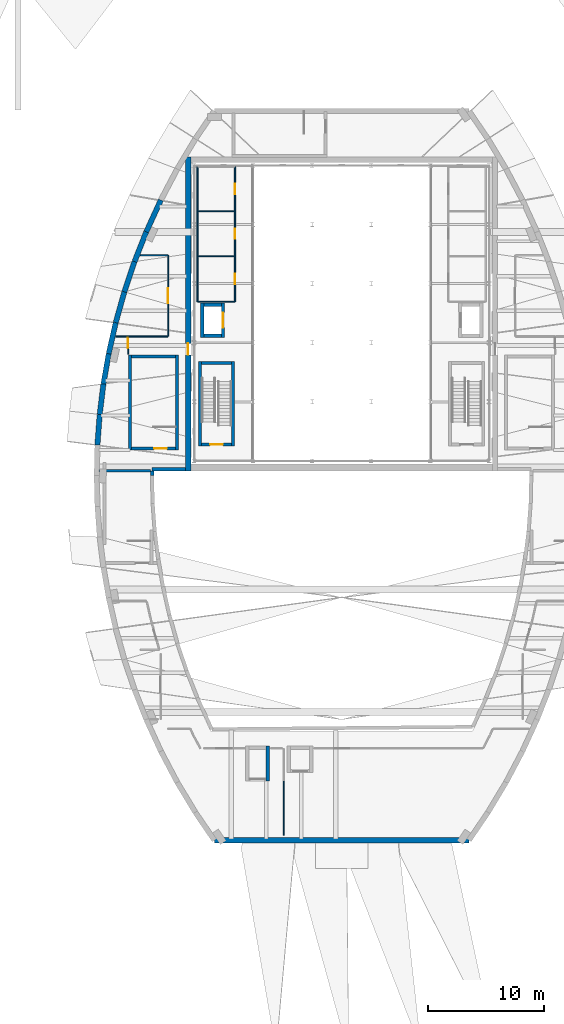
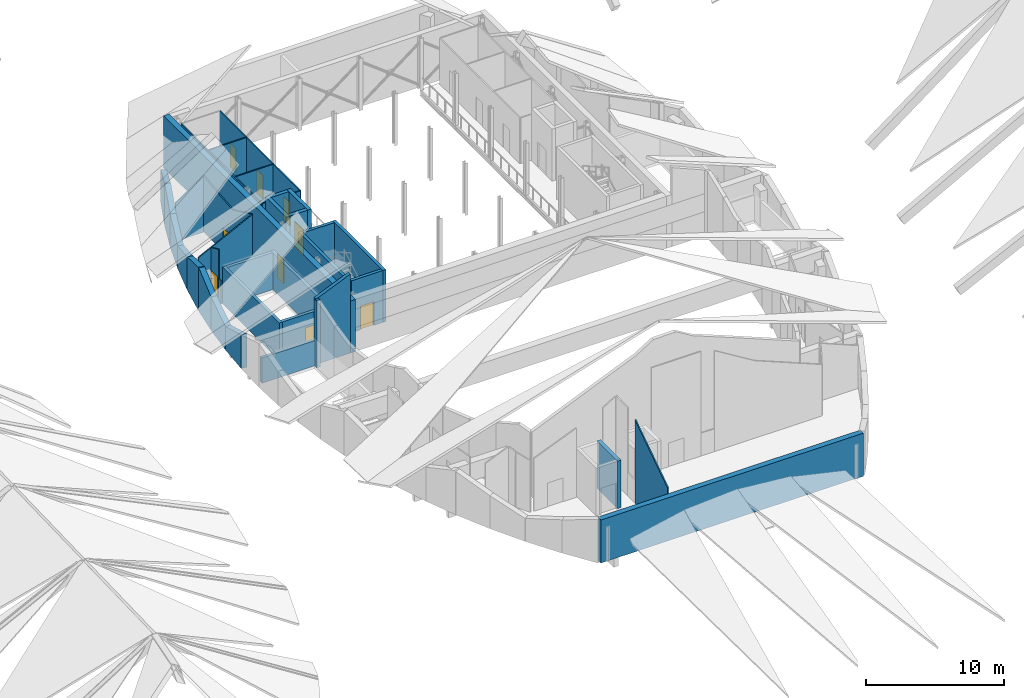
# One storey, part 12 of 17: 38 walls, 9 doors, 9 openings.
"""IFC4 building model written with IfcOpenShell, lengths in metres."""

from ifc_helpers import new_model, si_unit, direction, frame, frame_2d, origin, place, context, subcontext, project, spatial, polyline, rectangle, outline, extrude, material, layer, layer_set, type_object, element, fill, save


model = new_model("IFC4")

# Units and contexts
model_context = context("Model", 3, precision=1e-05, world=origin(), true_north=direction((0.0, 1.0)))
body_context = subcontext(model_context, "Body", "Model", "MODEL_VIEW")
ifc_project = project(units=[si_unit("LENGTHUNIT", "METRE"), si_unit("AREAUNIT", "SQUARE_METRE"), si_unit("VOLUMEUNIT", "CUBIC_METRE"), si_unit("PLANEANGLEUNIT", "RADIAN"), si_unit("MASSUNIT", "GRAM", prefix="KILO")], contexts=[model_context])

# Site, building, storey
site_placement = place(None, origin())
site = spatial("IfcSite", under=ifc_project, at=site_placement, CompositionType="ELEMENT")
building_placement = place(site_placement, origin())
building = spatial("IfcBuilding", under=site, at=building_placement, Name="Tide Square Theatres", CompositionType="ELEMENT")
storey_placement = place(building_placement, frame((0.0, 0.0, 14.800048828125)))
storey = spatial("IfcBuildingStorey", under=building, at=storey_placement, Name="L03", CompositionType="ELEMENT", Elevation=14.800048828125)

# Wall
ifc_material_1 = material(Name="Gypsum board on steel studs", Category="steel")
ifc_layer_1 = layer(ifc_material_1, 0.10009765625)
ifc_layer_set_1 = layer_set([ifc_layer_1], Name="Gypsum board on steel studs")
wall_type_1 = type_object("IfcWallType", Name="Partition 100 thick", PredefinedType="PARTITIONING", material=ifc_layer_set_1)
wall_1_placement = place(storey_placement, frame((71.575927734375, 70.0, 0.0), z_axis=(0.0, 0.0, 1.0), x_axis=(0.0, 1.0, 0.0)))
element("IfcWall", 1, at=wall_1_placement, inside=storey, type_object=wall_type_1, Name="Partition", PredefinedType="PARTITIONING", context=body_context, shape_type="SweptSolid", body=[
    extrude(rectangle(XDim=11.64404296875, YDim=0.10009765625, at=frame_2d((5.822021484375, 0.0))), origin(), (0.0, 0.0, 1.0), 4.0400390625),
])

# Wall, openings, doors
wall_2_placement = place(storey_placement, frame((74.805908203125, 70.0, 0.0), z_axis=(0.0, 0.0, 1.0), x_axis=(0.0, 1.0, 0.0)))
wall_2 = element("IfcWall", 2, at=wall_2_placement, inside=storey, type_object=wall_type_1, Name="Partition", PredefinedType="PARTITIONING", context=body_context, shape_type="SweptSolid", body=[
    extrude(rectangle(XDim=11.64404296875, YDim=0.10009765625, at=frame_2d((5.822021484375, 0.0))), origin(), (0.0, 0.0, 1.0), 4.0400390625),
])
opening_1_placement = place(wall_2_placement, frame((1.5, 0.0, 0.0)))
opening_1 = element("IfcOpeningElement", 3, at=opening_1_placement, cuts=wall_2, Name="Opening T03-03", PredefinedType="OPENING", context=body_context, shape_type="SweptSolid", body=[
    extrude(rectangle(XDim=0.89990234375, YDim=2.10009765625, at=frame_2d((0.449951171875, 1.050048828125))), frame((0.0, 0.06005859375, 0.0), z_axis=(0.0, -1.0, 0.0), x_axis=(1.0, 0.0, 0.0)), (0.0, 0.0, 1.0), 0.1201171875),
])
opening_2_placement = place(wall_2_placement, frame((5.39990234375, 0.0, 0.0)))
opening_2 = element("IfcOpeningElement", 4, at=opening_2_placement, cuts=wall_2, Name="Opening T03-04", PredefinedType="OPENING", context=body_context, shape_type="SweptSolid", body=[
    extrude(rectangle(XDim=0.89990234375, YDim=2.10009765625, at=frame_2d((0.449951171875, 1.050048828125))), frame((0.0, 0.06005859375, 0.0), z_axis=(0.0, -1.0, 0.0), x_axis=(1.0, 0.0, 0.0)), (0.0, 0.0, 1.0), 0.1201171875),
])
opening_3_placement = place(wall_2_placement, frame((9.27197265625, 0.0, 0.0)))
opening_3 = element("IfcOpeningElement", 5, at=opening_3_placement, cuts=wall_2, Name="Opening T03-05", PredefinedType="OPENING", context=body_context, shape_type="SweptSolid", body=[
    extrude(rectangle(XDim=0.89990234375, YDim=2.10009765625, at=frame_2d((0.449951171875, 1.050048828125))), frame((0.0, 0.06005859375, 0.0), z_axis=(0.0, -1.0, 0.0), x_axis=(1.0, 0.0, 0.0)), (0.0, 0.0, 1.0), 0.1201171875),
])
ifc_material_2 = material(Name="Hardwood timber", Category="wood")
door_type_1 = type_object("IfcDoorType", Name="Door 900 x 2100 single leaf", OperationType="NOTDEFINED", PredefinedType="DOOR", material=ifc_material_2)
door_1_placement = place(opening_1_placement, origin())
door_1 = element("IfcDoor", 6, at=door_1_placement, inside=storey, type_object=door_type_1, Name="Rigging Control Room door", OperationType="SINGLE_SWING_RIGHT", OverallHeight=2.10009765625, OverallWidth=0.89990234375, PredefinedType="DOOR", context=body_context, shape_type="SweptSolid", body=[
    extrude(rectangle(XDim=0.89990234375, YDim=2.10009765625, at=frame_2d((0.449951171875, 1.050048828125))), frame((0.0, 0.02490234375, 0.0), z_axis=(0.0, -1.0, 0.0), x_axis=(1.0, 0.0, 0.0)), (0.0, 0.0, 1.0), 0.050048828125),
])
fill(opening_1, door_1)
door_2_placement = place(opening_2_placement, origin())
door_2 = element("IfcDoor", 7, at=door_2_placement, inside=storey, type_object=door_type_1, Name="Flymen's Rest Room door", OperationType="SINGLE_SWING_RIGHT", OverallHeight=2.10009765625, OverallWidth=0.89990234375, PredefinedType="DOOR", context=body_context, shape_type="SweptSolid", body=[
    extrude(rectangle(XDim=0.89990234375, YDim=2.10009765625, at=frame_2d((0.449951171875, 1.050048828125))), frame((0.0, 0.02490234375, 0.0), z_axis=(0.0, -1.0, 0.0), x_axis=(1.0, 0.0, 0.0)), (0.0, 0.0, 1.0), 0.050048828125),
])
fill(opening_2, door_2)
door_3_placement = place(opening_3_placement, origin())
door_3 = element("IfcDoor", 8, at=door_3_placement, inside=storey, type_object=door_type_1, Name="Stage Management Office door", OperationType="SINGLE_SWING_RIGHT", OverallHeight=2.10009765625, OverallWidth=0.89990234375, PredefinedType="DOOR", context=body_context, shape_type="SweptSolid", body=[
    extrude(rectangle(XDim=0.89990234375, YDim=2.10009765625, at=frame_2d((0.449951171875, 1.050048828125))), frame((0.0, 0.02490234375, 0.0), z_axis=(0.0, -1.0, 0.0), x_axis=(1.0, 0.0, 0.0)), (0.0, 0.0, 1.0), 0.050048828125),
])
fill(opening_3, door_3)

# Walls
for number, where, z_axis, x_axis, name in (
    (9, (71.60595703125, 70.0, 0.0), (0.0, 0.0, 1.0), (1.0, 0.0, 0.0), "Partition"),
    (10, (71.60595703125, 73.89990234375, 0.0), (0.0, 0.0, 1.0), (1.0, 0.0, 0.0), "Partition"),
    (11, (71.60595703125, 77.800048828125, 0.0), (0.0, 0.0, 1.0), (1.0, 0.0, 0.0), "Partition"),
):
    element("IfcWall", number, at=place(storey_placement, frame(where, z_axis=z_axis, x_axis=x_axis)), inside=storey, type_object=wall_type_1, Name=name, PredefinedType="PARTITIONING", context=body_context, shape_type="SweptSolid", body=[
        extrude(rectangle(XDim=3.169921875, YDim=0.10009765625, at=frame_2d((1.5849609375, 0.0))), origin(), (0.0, 0.0, 1.0), 4.0400390625),
    ])
wall_3_placement = place(storey_placement, frame((65.570068359375, 67.0, 0.0), z_axis=(0.0, 0.0, 1.0), x_axis=(-1.0, 0.0, 0.0)))
element("IfcWall", 12, at=wall_3_placement, inside=storey, type_object=wall_type_1, Name="Partition", PredefinedType="PARTITIONING", context=body_context, shape_type="SweptSolid", body=[
    extrude(outline(polyline([(0.0, 0.0), (1.035400390625, 0.0), (1.044921875, 3.5419921875), (0.783935546875, 3.6728515625), (0.52294921875, 3.802978515625), (0.260986328125, 3.932861328125), (0.0, 4.06298828125), (0.0, 0.0)])), frame((0.0, 0.050048828125, 0.0), z_axis=(0.0, -1.0, 0.0), x_axis=(1.0, 0.0, 0.0)), (0.0, 0.0, 1.0), 0.10009765625),
])
wall_4_placement = place(storey_placement, frame((69.016845703125, 67.0, 0.0), z_axis=(0.0, 0.0, 1.0), x_axis=(-1.0, 0.0, 0.0)))
element("IfcWall", 13, at=wall_4_placement, inside=storey, type_object=wall_type_1, Name="Partition", PredefinedType="PARTITIONING", context=body_context, shape_type="SweptSolid", body=[
    extrude(outline(polyline([(0.0, 0.0), (3.386962890625, 0.0), (3.39697265625, 4.087890625), (3.135986328125, 4.218017578125), (2.8740234375, 4.347900390625), (2.613037109375, 4.47802734375), (2.35205078125, 4.60888671875), (2.090087890625, 4.739013671875), (1.8291015625, 4.868896484375), (1.568115234375, 4.9990234375), (1.306884765625, 5.12890625), (1.044921875, 5.259033203125), (0.783935546875, 5.388916015625), (0.52294921875, 5.52001953125), (0.260986328125, 5.64990234375), (0.0, 5.780029296875), (0.0, 0.0)])), frame((0.0, 0.050048828125, 0.0), z_axis=(0.0, -1.0, 0.0), x_axis=(1.0, 0.0, 0.0)), (0.0, 0.0, 1.0), 0.10009765625),
])

# Wall, opening, door
wall_5_placement = place(storey_placement, frame((65.60009765625, 66.97998046875, 0.0), z_axis=(0.0, 0.0, 1.0), x_axis=(0.0, -1.0, 0.0)))
wall_5 = element("IfcWall", 14, at=wall_5_placement, inside=storey, type_object=wall_type_1, Name="Partition", PredefinedType="PARTITIONING", context=body_context, shape_type="SweptSolid", body=[
    extrude(outline(polyline([(0.0, 0.0), (1.12646484375, 0.0), (1.126953125, 4.5859375), (0.844970703125, 4.4599609375), (0.56298828125, 4.333984375), (0.281982421875, 4.2080078125), (0.0, 4.08203125), (0.0, 0.0)])), frame((0.0, 0.050048828125, 0.0), z_axis=(0.0, -1.0, 0.0), x_axis=(1.0, 0.0, 0.0)), (0.0, 0.0, 1.0), 0.10009765625),
])
opening_4_placement = place(wall_5_placement, frame((0.11328125, 0.0, 0.0)))
opening_4 = element("IfcOpeningElement", 15, at=opening_4_placement, cuts=wall_5, Name="Opening M03-14", PredefinedType="OPENING", context=body_context, shape_type="SweptSolid", body=[
    extrude(rectangle(XDim=0.89990234375, YDim=2.10009765625, at=frame_2d((0.449951171875, 1.050048828125))), frame((0.0, 0.06005859375, 0.0), z_axis=(0.0, -1.0, 0.0), x_axis=(1.0, 0.0, 0.0)), (0.0, 0.0, 1.0), 0.1201171875),
])
door_4_placement = place(opening_4_placement, frame((0.89990234375, 0.0, 0.0), z_axis=(0.0, 0.0, 1.0), x_axis=(-1.0, 0.0, 0.0)))
door_4 = element("IfcDoor", 16, at=door_4_placement, inside=storey, type_object=door_type_1, Name="Counterweight Store door", OperationType="SINGLE_SWING_RIGHT", OverallHeight=2.10009765625, OverallWidth=0.89990234375, PredefinedType="DOOR", context=body_context, shape_type="SweptSolid", body=[
    extrude(rectangle(XDim=0.89990234375, YDim=2.10009765625, at=frame_2d((0.449951171875, 1.050048828125))), frame((0.0, 0.02490234375, 0.0), z_axis=(0.0, -1.0, 0.0), x_axis=(1.0, 0.0, 0.0)), (0.0, 0.0, 1.0), 0.050048828125),
])
fill(opening_4, door_4)

# Walls
wall_6_placement = place(storey_placement, frame((65.60009765625, 65.853515625, 0.0), z_axis=(0.0, 0.0, 1.0), x_axis=(0.0, -1.0, 0.0)))
element("IfcWall", 17, at=wall_6_placement, inside=storey, type_object=wall_type_1, Name="Partition", PredefinedType="PARTITIONING", context=body_context, shape_type="SweptSolid", body=[
    extrude(rectangle(XDim=0.3935546875, YDim=0.10009765625, at=frame_2d((0.19677734375, 0.0))), origin(), (0.0, 0.0, 1.0), 1.995849609375),
])
wall_7_placement = place(storey_placement, frame((66.653076171875, 74.0, 0.0), z_axis=(0.0, 0.0, 1.0), x_axis=(1.0, 0.0, 0.0)))
element("IfcWall", 18, at=wall_7_placement, inside=storey, type_object=wall_type_1, Name="Partition", PredefinedType="PARTITIONING", context=body_context, shape_type="SweptSolid", body=[
    extrude(outline(polyline([(0.0, 0.0), (2.36376953125, 0.0), (2.3740234375, 4.93896484375), (2.110107421875, 4.766845703125), (1.845947265625, 4.594970703125), (1.58203125, 4.421875), (1.319091796875, 4.25), (1.054931640625, 4.077880859375), (0.791015625, 3.906005859375), (0.527099609375, 3.73291015625), (0.263916015625, 3.56103515625), (0.0, 3.388916015625), (0.0, 0.0)])), frame((0.0, 0.050048828125, 0.0), z_axis=(0.0, -1.0, 0.0), x_axis=(1.0, 0.0, 0.0)), (0.0, 0.0, 1.0), 0.10009765625),
])

# Wall, opening, door
wall_8_placement = place(storey_placement, frame((69.050048828125, 73.976806640625, 0.0), z_axis=(0.0, 0.0, 1.0), x_axis=(0.0, -1.0, 0.0)))
wall_8 = element("IfcWall", 19, at=wall_8_placement, inside=storey, type_object=wall_type_1, Name="Partition", PredefinedType="PARTITIONING", context=body_context, shape_type="SweptSolid", body=[
    extrude(outline(polyline([(0.0, 0.0), (6.95361328125, 0.0), (6.9541015625, 5.781005859375), (6.696044921875, 5.666015625), (6.43896484375, 5.550048828125), (6.180908203125, 5.426025390625), (5.924072265625, 5.302978515625), (5.666015625, 5.179931640625), (5.407958984375, 5.056884765625), (5.15087890625, 4.932861328125), (4.89306640625, 4.81005859375), (4.635986328125, 4.68701171875), (4.3779296875, 4.56396484375), (4.12109375, 4.4970703125), (3.863037109375, 4.52197265625), (3.60595703125, 4.5458984375), (3.347900390625, 4.571044921875), (3.091064453125, 4.594970703125), (2.8330078125, 4.618896484375), (2.574951171875, 4.64404296875), (2.318115234375, 4.66796875), (2.06005859375, 4.69384765625), (1.802978515625, 4.72705078125), (1.544921875, 4.760009765625), (1.2880859375, 4.7919921875), (1.030029296875, 4.824951171875), (0.77294921875, 4.85791015625), (0.514892578125, 4.889892578125), (0.258056640625, 4.9228515625), (0.0, 4.951904296875), (0.0, 0.0)])), frame((0.0, 0.050048828125, 0.0), z_axis=(0.0, -1.0, 0.0), x_axis=(1.0, 0.0, 0.0)), (0.0, 0.0, 1.0), 0.10009765625),
])
opening_5_placement = place(wall_8_placement, frame((2.826904296875, 0.0, 0.0)))
opening_5 = element("IfcOpeningElement", 20, at=opening_5_placement, cuts=wall_8, Name="Opening M03-12", PredefinedType="OPENING", context=body_context, shape_type="SweptSolid", body=[
    extrude(rectangle(XDim=1.300048828125, YDim=2.10009765625, at=frame_2d((0.64990234375, 1.050048828125))), frame((0.0, 0.06005859375, 0.0), z_axis=(0.0, -1.0, 0.0), x_axis=(1.0, 0.0, 0.0)), (0.0, 0.0, 1.0), 0.1201171875),
])
ifc_material_3 = material(Name="Hardwood timber", Category="wood")
door_type_2 = type_object("IfcDoorType", Name="Door 1300 x 2100 double leaf", OperationType="DOUBLE_DOOR_SINGLE_SWING", PredefinedType="DOOR", material=ifc_material_3)
door_5_placement = place(opening_5_placement, origin())
door_5 = element("IfcDoor", 21, at=door_5_placement, inside=storey, type_object=door_type_2, Name="Chilled Water Plant Room door", OperationType="DOUBLE_DOOR_SINGLE_SWING", OverallHeight=2.10009765625, OverallWidth=1.300048828125, PredefinedType="DOOR", context=body_context, shape_type="SweptSolid", body=[
    extrude(rectangle(XDim=1.300048828125, YDim=2.10009765625, at=frame_2d((0.64990234375, 1.050048828125))), frame((0.0, 0.02490234375, 0.0), z_axis=(0.0, -1.0, 0.0), x_axis=(1.0, 0.0, 0.0)), (0.0, 0.0, 1.0), 0.050048828125),
])
fill(opening_5, door_5)

# Walls
wall_9_placement = place(storey_placement, frame((79.0, 28.718994140625, 0.0), z_axis=(0.0, 0.0, 1.0), x_axis=(0.0, -1.0, 0.0)))
element("IfcWall", 22, at=wall_9_placement, inside=storey, type_object=wall_type_1, Name="Partition", PredefinedType="PARTITIONING", context=body_context, shape_type="SweptSolid", body=[
    extrude(outline(polyline([(0.0, 0.0), (4.698974609375, 0.0), (4.698974609375, 4.202880859375), (4.43798828125, 4.37890625), (4.177001953125, 4.554931640625), (3.916015625, 4.72998046875), (3.655029296875, 4.906005859375), (3.39404296875, 5.0810546875), (3.133056640625, 5.2568359375), (2.8720703125, 5.432861328125), (2.611083984375, 5.60791015625), (2.35009765625, 5.783935546875), (2.089111328125, 5.9599609375), (1.826904296875, 6.135009765625), (1.56591796875, 6.31103515625), (1.304931640625, 6.487060546875), (1.0439453125, 6.661865234375), (0.782958984375, 6.837890625), (0.52197265625, 7.013916015625), (0.260986328125, 7.18896484375), (0.0, 7.364990234375), (0.0, 0.0)])), frame((0.0, 0.050048828125, 0.0), z_axis=(0.0, -1.0, 0.0), x_axis=(1.0, 0.0, 0.0)), (0.0, 0.0, 1.0), 0.10009765625),
])
ifc_material_4 = material(Name="Concrete C40", Category="concrete")
ifc_layer_2 = layer(ifc_material_4, 0.449951171875)
ifc_layer_set_2 = layer_set([ifc_layer_2], Name="Concrete C40")
wall_type_2 = type_object("IfcWallType", Name="RC curved wall 450 thick", PredefinedType="SOLIDWALL", material=ifc_layer_set_2)
wall_10_placement = place(storey_placement, frame((68.4208984375, 78.753662109375, 0.0), z_axis=(0.0, 0.0, 1.0), x_axis=(-0.416407051835, -0.909178292296, 0.0)))
element("IfcWall", 23, at=wall_10_placement, inside=storey, type_object=wall_type_2, Name="Main Theatre perimeter wall", PredefinedType="SOLIDWALL", context=body_context, shape_type="SweptSolid", body=[
    extrude(outline(polyline([(0.0, 0.0), (3.021240234375, 0.0), (3.021240234375, 3.73779296875), (2.9140625, 3.7060546875), (2.810791015625, 3.67529296875), (0.05859375, 2.851318359375), (0.0, 2.8310546875), (0.0, 0.0)])), frame((0.0, 0.22509765625, 0.0), z_axis=(0.0, -1.0, 0.0), x_axis=(1.0, 0.0, 0.0)), (0.0, 0.0, 1.0), 0.449951171875),
])
wall_11_placement = place(storey_placement, frame((67.162841796875, 76.0068359375, 0.0), z_axis=(0.0, 0.0, 1.0), x_axis=(-0.366920100653, -0.930252460215, 0.0)))
element("IfcWall", 24, at=wall_11_placement, inside=storey, type_object=wall_type_2, Name="Main Theatre perimeter wall", PredefinedType="SOLIDWALL", context=body_context, shape_type="SweptSolid", body=[
    extrude(outline(polyline([(0.0, 0.0), (2.751953125, 0.0), (2.751953125, 2.931396484375), (2.623779296875, 2.973388671875), (0.193603515625, 3.76806640625), (0.10498046875, 3.797119140625), (0.0, 3.74169921875), (0.0, 0.0)])), frame((0.0, 0.22509765625, 0.0), z_axis=(0.0, -1.0, 0.0), x_axis=(1.0, 0.0, 0.0)), (0.0, 0.0, 1.0), 0.449951171875),
])
wall_12_placement = place(storey_placement, frame((66.153076171875, 73.44677734375, 0.0), z_axis=(0.0, 0.0, 1.0), x_axis=(-0.318887614688, -0.947792534893, 0.0)))
element("IfcWall", 25, at=wall_12_placement, inside=storey, type_object=wall_type_2, Name="Main Theatre perimeter wall", PredefinedType="SOLIDWALL", context=body_context, shape_type="SweptSolid", body=[
    extrude(outline(polyline([(0.0, 0.0), (2.75244140625, 0.0), (2.752197265625, 2.031005859375), (2.74169921875, 2.03466796875), (2.600341796875, 2.080810546875), (0.113525390625, 2.89404296875), (0.0, 2.927734375), (0.0, 0.0)])), frame((0.0, 0.22509765625, 0.0), z_axis=(0.0, -1.0, 0.0), x_axis=(1.0, 0.0, 0.0)), (0.0, 0.0, 1.0), 0.449951171875),
])
wall_13_placement = place(storey_placement, frame((65.275390625, 70.838134765625, 0.0), z_axis=(0.0, 0.0, 1.0), x_axis=(-0.270008269196, -0.962858003324, 0.0)))
element("IfcWall", 26, at=wall_13_placement, inside=storey, type_object=wall_type_2, Name="Main Theatre perimeter wall", PredefinedType="SOLIDWALL", context=body_context, shape_type="SweptSolid", body=[
    extrude(outline(polyline([(0.0, 0.0), (2.75244140625, 0.0), (2.752197265625, 2.921142578125), (2.721435546875, 2.9111328125), (0.0, 2.02734375), (0.0, 0.0)])), frame((0.0, 0.22509765625, 0.0), z_axis=(0.0, -1.0, 0.0), x_axis=(1.0, 0.0, 0.0)), (0.0, 0.0, 1.0), 0.449951171875),
])
wall_14_placement = place(storey_placement, frame((64.5322265625, 68.18798828125, 0.0), z_axis=(0.0, 0.0, 1.0), x_axis=(-0.220347996563, -0.975421324562, 0.0)))
element("IfcWall", 27, at=wall_14_placement, inside=storey, type_object=wall_type_2, Name="Main Theatre perimeter wall", PredefinedType="SOLIDWALL", context=body_context, shape_type="SweptSolid", body=[
    extrude(outline(polyline([(0.0, 0.0), (2.752197265625, 0.0), (2.75244140625, 3.82763671875), (2.72314453125, 3.818115234375), (2.67236328125, 3.801513671875), (2.62158203125, 3.784912109375), (0.0, 2.925048828125), (0.0, 0.0)])), frame((0.0, 0.22509765625, 0.0), z_axis=(0.0, -1.0, 0.0), x_axis=(1.0, 0.0, 0.0)), (0.0, 0.0, 1.0), 0.449951171875),
])
wall_15_placement = place(storey_placement, frame((63.92578125, 65.50341796875, 0.0), z_axis=(0.0, 0.0, 1.0), x_axis=(-0.171196910379, -0.985236833394, 0.0)))
element("IfcWall", 28, at=wall_15_placement, inside=storey, type_object=wall_type_2, Name="Main Theatre perimeter wall", PredefinedType="SOLIDWALL", context=body_context, shape_type="SweptSolid", body=[
    extrude(outline(polyline([(0.0, 0.0), (2.642578125, 0.0), (2.642578125, 2.97021484375), (2.5732421875, 2.99365234375), (0.079345703125, 3.84326171875), (0.0, 3.83154296875), (0.0, 0.0)])), frame((0.0, 0.22509765625, 0.0), z_axis=(0.0, -1.0, 0.0), x_axis=(1.0, 0.0, 0.0)), (0.0, 0.0, 1.0), 0.449951171875),
])
wall_16_placement = place(storey_placement, frame((63.473388671875, 62.89990234375, 0.0), z_axis=(0.0, 0.0, 1.0), x_axis=(-0.122499610212, -0.992468561466, 0.0)))
element("IfcWall", 29, at=wall_16_placement, inside=storey, type_object=wall_type_2, Name="Main Theatre perimeter wall", PredefinedType="SOLIDWALL", context=body_context, shape_type="SweptSolid", body=[
    extrude(outline(polyline([(0.0, 0.0), (2.642822265625, 0.0), (2.642578125, 2.06689453125), (2.5556640625, 2.096435546875), (0.05712890625, 2.9482421875), (0.0, 2.966552734375), (0.0, 0.0)])), frame((0.0, 0.22509765625, 0.0), z_axis=(0.0, -1.0, 0.0), x_axis=(1.0, 0.0, 0.0)), (0.0, 0.0, 1.0), 0.449951171875),
])
wall_17_placement = place(storey_placement, frame((63.149658203125, 60.277099609375, 0.0), z_axis=(0.0, 0.0, 1.0), x_axis=(-0.07363685767, -0.997285121313, 0.0)))
element("IfcWall", 30, at=wall_17_placement, inside=storey, type_object=wall_type_2, Name="Main Theatre perimeter wall", PredefinedType="SOLIDWALL", context=body_context, shape_type="SweptSolid", body=[
    extrude(outline(polyline([(0.0, 0.0), (2.642333984375, 0.0), (2.642578125, 2.969970703125), (2.631103515625, 2.96630859375), (0.0, 2.069091796875), (0.0, 0.0)])), frame((0.0, 0.22509765625, 0.0), z_axis=(0.0, -1.0, 0.0), x_axis=(1.0, 0.0, 0.0)), (0.0, 0.0, 1.0), 0.449951171875),
])
wall_18_placement = place(storey_placement, frame((73.02587890625, 23.58251953125, 0.0), z_axis=(0.0, 0.0, 1.0), x_axis=(1.0, 0.0, 0.0)))
element("IfcWall", 31, at=wall_18_placement, inside=storey, type_object=wall_type_2, Name="Main Theatre perimeter wall", PredefinedType="SOLIDWALL", context=body_context, shape_type="SweptSolid", body=[
    extrude(outline(polyline([(0.0, 0.0), (21.9482421875, 0.0), (21.947998046875, 3.8076171875), (21.824462890625, 3.8076171875), (21.587158203125, 3.8076171875), (0.360595703125, 3.8076171875), (0.113525390625, 3.8076171875), (0.0, 3.8076171875), (0.0, 0.0)])), frame((0.0, 0.22509765625, 0.0), z_axis=(0.0, -1.0, 0.0), x_axis=(1.0, 0.0, 0.0)), (0.0, 0.0, 1.0), 0.449951171875),
])

# Wall, opening, door
wall_19_placement = place(storey_placement, frame((70.77490234375, 55.39990234375, 0.0), z_axis=(0.0, 0.0, 1.0), x_axis=(0.0, 1.0, 0.0)))
wall_19 = element("IfcWall", 32, at=wall_19_placement, inside=storey, type_object=wall_type_2, Name="Stage house wall", PredefinedType="SOLIDWALL", context=body_context, shape_type="SweptSolid", body=[
    extrude(rectangle(XDim=27.050048828125, YDim=0.449951171875, at=frame_2d((13.52490234375, 0.0))), origin(), (0.0, 0.0, 1.0), 4.599853515625),
])
opening_6_placement = place(wall_19_placement, frame((10.0, 0.0, 0.0)))
opening_6 = element("IfcOpeningElement", 33, at=opening_6_placement, cuts=wall_19, Name="Opening M03-16", PredefinedType="OPENING", context=body_context, shape_type="SweptSolid", body=[
    extrude(rectangle(XDim=1.0, YDim=2.10009765625, at=frame_2d((0.5, 1.050048828125))), frame((0.0, 0.23486328125, 0.0), z_axis=(0.0, -1.0, 0.0), x_axis=(1.0, 0.0, 0.0)), (0.0, 0.0, 1.0), 0.469970703125),
])
ifc_material_5 = material(Name="Hardwood timber", Category="wood")
door_type_3 = type_object("IfcDoorType", Name="Door 1000 x 2100 single leaf", OperationType="NOTDEFINED", PredefinedType="DOOR", material=ifc_material_5)
door_6_placement = place(opening_6_placement, origin())
door_6 = element("IfcDoor", 34, at=door_6_placement, inside=storey, type_object=door_type_3, Name="Plant corridor door to the fly gallery", OperationType="SINGLE_SWING_RIGHT", OverallHeight=2.10009765625, OverallWidth=1.0, PredefinedType="DOOR", context=body_context, shape_type="SweptSolid", body=[
    extrude(rectangle(XDim=1.0, YDim=2.10009765625, at=frame_2d((0.5, 1.050048828125))), frame((0.0, 0.02490234375, 0.0), z_axis=(0.0, -1.0, 0.0), x_axis=(1.0, 0.0, 0.0)), (0.0, 0.0, 1.0), 0.050048828125),
])
fill(opening_6, door_6)

# Walls
ifc_material_6 = material(Name="Concrete C40", Category="concrete")
ifc_layer_3 = layer(ifc_material_6, 0.25)
ifc_layer_set_3 = layer_set([ifc_layer_3], Name="Concrete C40")
wall_type_3 = type_object("IfcWallType", Name="RC shear wall 250 thick", PredefinedType="SHEAR", material=ifc_layer_set_3)
for number, where, z_axis, x_axis, name in (
    (35, (69.824951171875, 57.199951171875, 0.0), (0.0, 0.0, 1.0), (0.0, 1.0, 0.0), "Main Theatre West Stair shaft wall"),
    (36, (65.77490234375, 65.39990234375, 0.0), (0.0, 0.0, 1.0), (0.0, -1.0, 0.0), "Main Theatre West Stair shaft wall"),
):
    element("IfcWall", number, at=place(storey_placement, frame(where, z_axis=z_axis, x_axis=x_axis)), inside=storey, type_object=wall_type_3, Name=name, PredefinedType="SHEAR", context=body_context, shape_type="SweptSolid", body=[
        extrude(rectangle(XDim=8.199951171875, YDim=0.25, at=frame_2d((4.10009765625, 0.0))), origin(), (0.0, 0.0, 1.0), 3.294189453125),
    ])
wall_20_placement = place(storey_placement, frame((65.89990234375, 65.27490234375, 0.0), z_axis=(0.0, 0.0, 1.0), x_axis=(1.0, 0.0, 0.0)))
element("IfcWall", 37, at=wall_20_placement, inside=storey, type_object=wall_type_3, Name="Main Theatre West Stair shaft wall", PredefinedType="SHEAR", context=body_context, shape_type="SweptSolid", body=[
    extrude(rectangle(XDim=3.800048828125, YDim=0.25, at=frame_2d((1.89990234375, 0.0))), origin(), (0.0, 0.0, 1.0), 3.294189453125),
])

# Wall, opening, door
wall_21_placement = place(storey_placement, frame((69.699951171875, 57.324951171875, 0.0), z_axis=(0.0, 0.0, 1.0), x_axis=(-1.0, 0.0, 0.0)))
wall_21 = element("IfcWall", 38, at=wall_21_placement, inside=storey, type_object=wall_type_3, Name="Main Theatre West Stair shaft wall", PredefinedType="SHEAR", context=body_context, shape_type="SweptSolid", body=[
    extrude(rectangle(XDim=3.800048828125, YDim=0.25, at=frame_2d((1.89990234375, 0.0))), origin(), (0.0, 0.0, 1.0), 3.294189453125),
])
opening_7_placement = place(wall_21_placement, frame((0.75, 0.0, 0.0)))
opening_7 = element("IfcOpeningElement", 39, at=opening_7_placement, cuts=wall_21, Name="Opening M03-01", PredefinedType="OPENING", context=body_context, shape_type="SweptSolid", body=[
    extrude(rectangle(XDim=1.10009765625, YDim=2.10009765625, at=frame_2d((0.550048828125, 1.050048828125))), frame((0.0, 0.135009765625, 0.0), z_axis=(0.0, -1.0, 0.0), x_axis=(1.0, 0.0, 0.0)), (0.0, 0.0, 1.0), 0.27001953125),
])
ifc_material_7 = material(Name="Painted steel", Category="steel")
door_type_4 = type_object("IfcDoorType", Name="Door 1100 x 2100 single leaf", OperationType="NOTDEFINED", PredefinedType="DOOR", material=ifc_material_7)
door_7_placement = place(opening_7_placement, frame((1.10009765625, 0.0, 0.0), z_axis=(0.0, 0.0, 1.0), x_axis=(-1.0, 0.0, 0.0)))
door_7 = element("IfcDoor", 40, at=door_7_placement, inside=storey, type_object=door_type_4, Name="Main Theatre West Stair stair door", OperationType="SINGLE_SWING_LEFT", OverallHeight=2.10009765625, OverallWidth=1.10009765625, PredefinedType="DOOR", context=body_context, shape_type="SweptSolid", body=[
    extrude(rectangle(XDim=1.10009765625, YDim=2.10009765625, at=frame_2d((0.550048828125, 1.050048828125))), frame((0.0, 0.02490234375, 0.0), z_axis=(0.0, -1.0, 0.0), x_axis=(1.0, 0.0, 0.0)), (0.0, 0.0, 1.0), 0.050048828125),
])
fill(opening_7, door_7)

# Walls
wall_22_placement = place(storey_placement, frame((63.10009765625, 55.425048828125, 0.0), z_axis=(0.0, 0.0, 1.0), x_axis=(1.0, 0.0, 0.0)))
element("IfcWall", 41, at=wall_22_placement, inside=storey, type_object=wall_type_3, Name="Main Theatre West Circle Stair shaft wall", PredefinedType="SHEAR", context=body_context, shape_type="SweptSolid", body=[
    extrude(rectangle(XDim=4.419921875, YDim=0.25, at=frame_2d((2.2099609375, 0.0))), origin(), (0.0, 0.0, 1.0), 2.23193359375),
])
for number, where, z_axis, x_axis, name in (
    (42, (74.65087890625, 57.575927734375, 0.0), (0.0, 0.0, 1.0), (0.0, 1.0, 0.0), "Fly Tower west stair shaft wall"),
    (43, (71.801025390625, 64.825927734375, 0.0), (0.0, 0.0, 1.0), (0.0, -1.0, 0.0), "Fly Tower west stair shaft wall"),
):
    element("IfcWall", number, at=place(storey_placement, frame(where, z_axis=z_axis, x_axis=x_axis)), inside=storey, type_object=wall_type_3, Name=name, PredefinedType="SHEAR", context=body_context, shape_type="SweptSolid", body=[
        extrude(rectangle(XDim=7.25, YDim=0.25, at=frame_2d((3.625, 0.0))), origin(), (0.0, 0.0, 1.0), 4.599853515625),
    ])
wall_23_placement = place(storey_placement, frame((71.926025390625, 64.700927734375, 0.0), z_axis=(0.0, 0.0, 1.0), x_axis=(1.0, 0.0, 0.0)))
element("IfcWall", 44, at=wall_23_placement, inside=storey, type_object=wall_type_3, Name="Fly Tower west stair shaft wall", PredefinedType="SHEAR", context=body_context, shape_type="SweptSolid", body=[
    extrude(rectangle(XDim=2.599853515625, YDim=0.25, at=frame_2d((1.2998046875, 0.0))), origin(), (0.0, 0.0, 1.0), 4.599853515625),
])

# Wall, opening, door
wall_24_placement = place(storey_placement, frame((74.52587890625, 57.700927734375, 0.0), z_axis=(0.0, 0.0, 1.0), x_axis=(-1.0, 0.0, 0.0)))
wall_24 = element("IfcWall", 45, at=wall_24_placement, inside=storey, type_object=wall_type_3, Name="Fly Tower west stair shaft wall", PredefinedType="SHEAR", context=body_context, shape_type="SweptSolid", body=[
    extrude(rectangle(XDim=2.599853515625, YDim=0.25, at=frame_2d((1.2998046875, 0.0))), origin(), (0.0, 0.0, 1.0), 4.599853515625),
])
opening_8_placement = place(wall_24_placement, frame((0.75, 0.0, 0.0)))
opening_8 = element("IfcOpeningElement", 46, at=opening_8_placement, cuts=wall_24, Name="Opening T03-01", PredefinedType="OPENING", context=body_context, shape_type="SweptSolid", body=[
    extrude(rectangle(XDim=1.10009765625, YDim=2.10009765625, at=frame_2d((0.550048828125, 1.050048828125))), frame((0.0, 0.135009765625, 0.0), z_axis=(0.0, -1.0, 0.0), x_axis=(1.0, 0.0, 0.0)), (0.0, 0.0, 1.0), 0.27001953125),
])
door_8_placement = place(opening_8_placement, origin())
door_8 = element("IfcDoor", 47, at=door_8_placement, inside=storey, type_object=door_type_4, Name="Fly Tower west stair stair door", OperationType="SINGLE_SWING_RIGHT", OverallHeight=2.10009765625, OverallWidth=1.10009765625, PredefinedType="DOOR", context=body_context, shape_type="SweptSolid", body=[
    extrude(rectangle(XDim=1.10009765625, YDim=2.10009765625, at=frame_2d((0.550048828125, 1.050048828125))), frame((0.0, 0.02490234375, 0.0), z_axis=(0.0, -1.0, 0.0), x_axis=(1.0, 0.0, 0.0)), (0.0, 0.0, 1.0), 0.050048828125),
])
fill(opening_8, door_8)

# Walls
ifc_material_8 = material(Name="Concrete C40", Category="concrete")
ifc_layer_4 = layer(ifc_material_8, 0.300048828125)
ifc_layer_set_4 = layer_set([ifc_layer_4], Name="Concrete C40")
wall_type_4 = type_object("IfcWallType", Name="RC shear wall 300 thick", PredefinedType="SHEAR", material=ifc_layer_set_4)
wall_25_placement = place(storey_placement, frame((67.67626953125, 55.39990234375, 0.0), z_axis=(0.0, 0.0, 1.0), x_axis=(-0.024412746386, -0.999701964494, 0.0)))
element("IfcWall", 48, at=wall_25_placement, inside=storey, type_object=wall_type_4, Name="Main Theatre auditorium wall", PredefinedType="SHEAR", context=body_context, shape_type="SweptSolid", body=[
    extrude(outline(polyline([(0.0, 0.0), (0.39990234375, 0.0), (0.400146484375, 5.942626953125), (0.331787109375, 5.91943359375), (0.0, 5.806396484375), (0.0, 0.0)])), frame((0.0, 0.14990234375, 0.0), z_axis=(0.0, -1.0, 0.0), x_axis=(1.0, 0.0, 0.0)), (0.0, 0.0, 1.0), 0.300048828125),
])
wall_26_placement = place(storey_placement, frame((67.67626953125, 55.550048828125, 0.0), z_axis=(0.0, 0.0, 1.0), x_axis=(1.0, 0.0, 0.0)))
element("IfcWall", 49, at=wall_26_placement, inside=storey, type_object=wall_type_4, Name="Main Theatre auditorium wall", PredefinedType="SHEAR", context=body_context, shape_type="SweptSolid", body=[
    extrude(outline(polyline([(0.0, 0.0), (2.873779296875, 0.0), (2.873779296875, 6.991455078125), (0.0, 5.766357421875), (0.0, 0.0)])), frame((0.0, 0.14990234375, 0.0), z_axis=(0.0, -1.0, 0.0), x_axis=(1.0, 0.0, 0.0)), (0.0, 0.0, 1.0), 0.300048828125),
])
wall_27_placement = place(storey_placement, frame((77.64990234375, 28.699951171875, 0.0), z_axis=(0.0, 0.0, 1.0), x_axis=(0.0, 1.0, 0.0)))
element("IfcWall", 50, at=wall_27_placement, inside=storey, type_object=wall_type_4, Name="Main Theatre lift 1 overrun wall", PredefinedType="SHEAR", context=body_context, shape_type="SweptSolid", body=[
    extrude(rectangle(XDim=3.0, YDim=0.300048828125, at=frame_2d((1.5, 0.0))), origin(), (0.0, 0.0, 1.0), 4.199951171875),
])
for number, where, z_axis, x_axis, name in (
    (51, (72.1259765625, 67.050048828125, 0.0), (0.0, 0.0, 1.0), (1.0, 0.0, 0.0), "Fly Tower lift 11 shaft wall"),
    (52, (73.6259765625, 69.75, 0.0), (0.0, 0.0, 1.0), (-1.0, 0.0, 0.0), "Fly Tower lift 11 shaft wall"),
):
    element("IfcWall", number, at=place(storey_placement, frame(where, z_axis=z_axis, x_axis=x_axis)), inside=storey, type_object=wall_type_4, Name=name, PredefinedType="SHEAR", context=body_context, shape_type="SweptSolid", body=[
        extrude(rectangle(XDim=1.5, YDim=0.300048828125, at=frame_2d((0.75, 0.0))), origin(), (0.0, 0.0, 1.0), 4.599853515625),
    ])
wall_28_placement = place(storey_placement, frame((71.97607421875, 66.89990234375, 0.0), z_axis=(0.0, 0.0, 1.0), x_axis=(0.0, 1.0, 0.0)))
element("IfcWall", 53, at=wall_28_placement, inside=storey, type_object=wall_type_4, Name="Fly Tower lift 11 shaft wall", PredefinedType="SHEAR", context=body_context, shape_type="SweptSolid", body=[
    extrude(rectangle(XDim=3.0, YDim=0.300048828125, at=frame_2d((1.5, 0.0))), origin(), (0.0, 0.0, 1.0), 4.599853515625),
])

# Wall, opening, door
wall_29_placement = place(storey_placement, frame((73.77587890625, 66.89990234375, 0.0), z_axis=(0.0, 0.0, 1.0), x_axis=(0.0, 1.0, 0.0)))
wall_29 = element("IfcWall", 54, at=wall_29_placement, inside=storey, type_object=wall_type_4, Name="Fly Tower lift 11 shaft wall", PredefinedType="SHEAR", context=body_context, shape_type="SweptSolid", body=[
    extrude(rectangle(XDim=3.0, YDim=0.300048828125, at=frame_2d((1.5, 0.0))), origin(), (0.0, 0.0, 1.0), 4.599853515625),
])
opening_9_placement = place(wall_29_placement, frame((0.85009765625, 0.0, 0.0)))
opening_9 = element("IfcOpeningElement", 55, at=opening_9_placement, cuts=wall_29, Name="Opening LD-T11-3", PredefinedType="OPENING", context=body_context, shape_type="SweptSolid", body=[
    extrude(rectangle(XDim=1.300048828125, YDim=2.300048828125, at=frame_2d((0.64990234375, 1.14990234375))), frame((0.0, 0.159912109375, 0.0), z_axis=(0.0, -1.0, 0.0), x_axis=(1.0, 0.0, 0.0)), (0.0, 0.0, 1.0), 0.320068359375),
])
ifc_material_9 = material(Name="Painted steel", Category="steel")
door_type_5 = type_object("IfcDoorType", Name="Door 1300 x 2300 sliding", OperationType="SLIDING_TO_LEFT", PredefinedType="DOOR", material=ifc_material_9)
door_9_placement = place(opening_9_placement, origin())
door_9 = element("IfcDoor", 56, at=door_9_placement, inside=storey, type_object=door_type_5, Name="Fly Tower Stretcher lift 1000 kg landing door L03", OperationType="SLIDING_TO_LEFT", OverallHeight=2.300048828125, OverallWidth=1.300048828125, PredefinedType="DOOR", context=body_context, shape_type="SweptSolid", body=[
    extrude(rectangle(XDim=1.300048828125, YDim=2.300048828125, at=frame_2d((0.64990234375, 1.14990234375))), frame((0.0, 0.02490234375, 0.0), z_axis=(0.0, -1.0, 0.0), x_axis=(1.0, 0.0, 0.0)), (0.0, 0.0, 1.0), 0.050048828125),
])
fill(opening_9, door_9)

save(model, "model.ifc")
